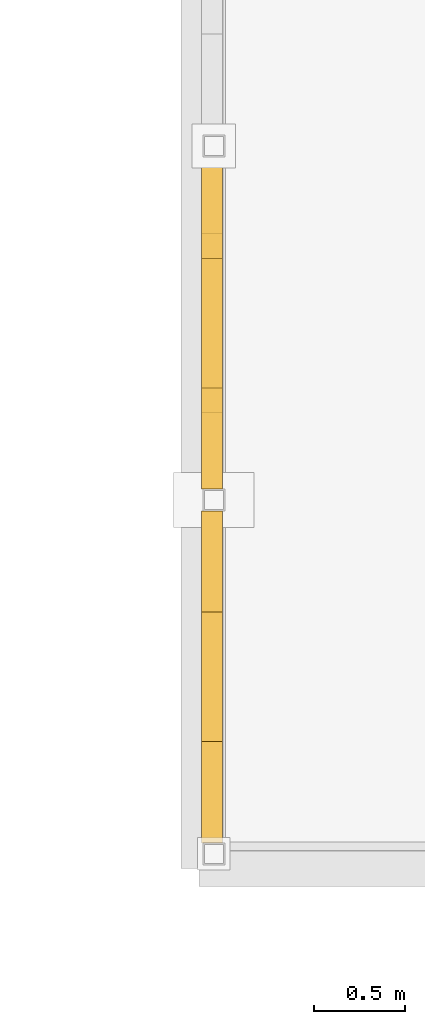
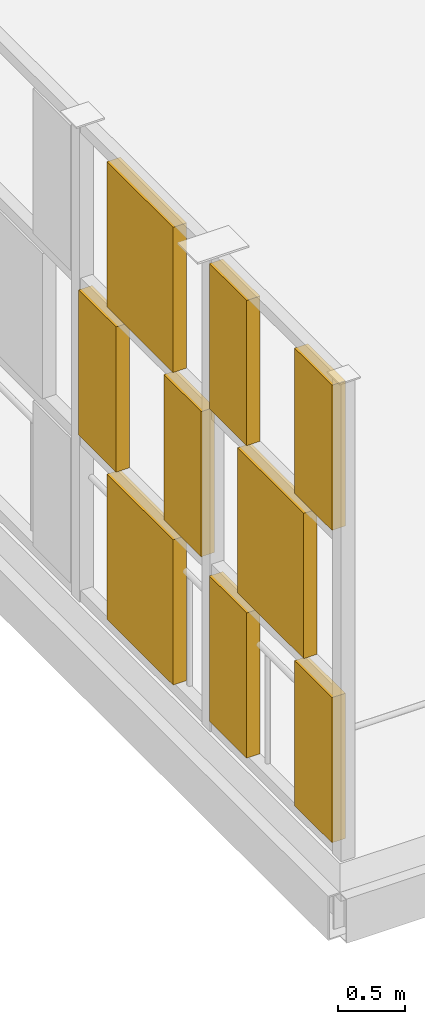
# One storey, part 127 of 138: 9 coverings.
"""IFC4 building model written with IfcOpenShell, lengths in metres."""

from ifc_helpers import new_model, si_unit, direction, frame, origin, origin_2d, place, context, subcontext, project, spatial, rectangle, extrude, material, layer, layer_set, type_object, element, save


model = new_model("IFC4")

# Units and contexts
model_context = context("Model", 3, precision=1e-05, world=origin(), true_north=direction((0.0, 1.0)))
body_context = subcontext(model_context, "Body", "Model", "MODEL_VIEW")
ifc_project = project(units=[si_unit("LENGTHUNIT", "METRE"), si_unit("AREAUNIT", "SQUARE_METRE"), si_unit("VOLUMEUNIT", "CUBIC_METRE"), si_unit("PLANEANGLEUNIT", "RADIAN"), si_unit("MASSUNIT", "GRAM", prefix="KILO")], contexts=[model_context])

# Site, building, storey
site_placement = place(None, origin())
site = spatial("IfcSite", under=ifc_project, at=site_placement, CompositionType="ELEMENT")
building_placement = place(site_placement, origin())
building = spatial("IfcBuilding", under=site, at=building_placement, Name="Celorna Specialist Clinic", CompositionType="ELEMENT")
storey_placement = place(building_placement, frame((0.0, 0.0, 4.800048828125)))
storey = spatial("IfcBuildingStorey", under=building, at=storey_placement, Name="L01", CompositionType="ELEMENT", Elevation=4.800048828125)

# Coverings
ifc_material = material(Name="Perforated terracotta brick weave cladding", Category="masonry")
ifc_layer = layer(ifc_material, 0.114990234375, Name="Perforated terracotta brick weave cladding")
ifc_layer_set = layer_set([ifc_layer], Name="Perforated terracotta brick weave cladding")
covering_type = type_object("IfcCoveringType", Name="CL-02", PredefinedType="CLADDING", material=ifc_layer_set)
for number, where, z_axis, x_axis, name in (
    (1, (124.8701171875, 60.4169921875, 0.10009765625), (0.0, 0.0, 1.0), (0.0, 1.0, 0.0), "Woven perforated terracotta brick course #1626"),
    (2, (124.8701171875, 61.6796875, 0.10009765625), (0.0, 0.0, 1.0), (0.0, 1.0, 0.0), "Woven perforated terracotta brick course #1627"),
):
    element("IfcCovering", number, at=place(storey_placement, frame(where, z_axis=z_axis, x_axis=x_axis)), inside=storey, type_object=covering_type, Name=name, PredefinedType="CLADDING", context=body_context, shape_type="SweptSolid", body=[
        extrude(rectangle(XDim=0.55419921875, YDim=0.114990234375, at=origin_2d()), origin(), (0.0, 0.0, 1.0), 1.313232421875),
    ])
covering_1_placement = place(storey_placement, frame((124.8701171875, 61.04833984375, 1.51318359375), z_axis=(0.0, 0.0, 1.0), x_axis=(0.0, 1.0, 0.0)))
element("IfcCovering", 3, at=covering_1_placement, inside=storey, type_object=covering_type, Name="Woven perforated terracotta brick course #1628", PredefinedType="CLADDING", context=body_context, shape_type="SweptSolid", body=[
    extrude(rectangle(XDim=0.98095703125, YDim=0.114990234375, at=origin_2d()), origin(), (0.0, 0.0, 1.0), 1.3134765625),
])
for number, where, z_axis, x_axis, name in (
    (4, (124.8701171875, 60.4169921875, 2.9267578125), (0.0, 0.0, 1.0), (0.0, 1.0, 0.0), "Woven perforated terracotta brick course #1629"),
    (5, (124.8701171875, 61.6796875, 2.9267578125), (0.0, 0.0, 1.0), (0.0, 1.0, 0.0), "Woven perforated terracotta brick course #1630"),
):
    element("IfcCovering", number, at=place(storey_placement, frame(where, z_axis=z_axis, x_axis=x_axis)), inside=storey, type_object=covering_type, Name=name, PredefinedType="CLADDING", context=body_context, shape_type="SweptSolid", body=[
        extrude(rectangle(XDim=0.55419921875, YDim=0.114990234375, at=origin_2d()), origin(), (0.0, 0.0, 1.0), 1.313232421875),
    ])
covering_2_placement = place(storey_placement, frame((124.8701171875, 62.985107421875, 0.10009765625), z_axis=(0.0, 0.0, 1.0), x_axis=(0.0, 1.0, 0.0)))
element("IfcCovering", 6, at=covering_2_placement, inside=storey, type_object=covering_type, Name="Woven perforated terracotta brick course #1631", PredefinedType="CLADDING", context=body_context, shape_type="SweptSolid", body=[
    extrude(rectangle(XDim=0.98095703125, YDim=0.114990234375, at=origin_2d()), origin(), (0.0, 0.0, 1.0), 1.313232421875),
])
for number, where, z_axis, x_axis, name in (
    (7, (124.8701171875, 62.353759765625, 1.51318359375), (0.0, 0.0, 1.0), (0.0, 1.0, 0.0), "Woven perforated terracotta brick course #1632"),
    (8, (124.8701171875, 63.6162109375, 1.51318359375), (0.0, 0.0, 1.0), (0.0, 1.0, 0.0), "Woven perforated terracotta brick course #1633"),
):
    element("IfcCovering", number, at=place(storey_placement, frame(where, z_axis=z_axis, x_axis=x_axis)), inside=storey, type_object=covering_type, Name=name, PredefinedType="CLADDING", context=body_context, shape_type="SweptSolid", body=[
        extrude(rectangle(XDim=0.55419921875, YDim=0.114990234375, at=origin_2d()), origin(), (0.0, 0.0, 1.0), 1.3134765625),
    ])
covering_3_placement = place(storey_placement, frame((124.8701171875, 62.985107421875, 2.9267578125), z_axis=(0.0, 0.0, 1.0), x_axis=(0.0, 1.0, 0.0)))
element("IfcCovering", 9, at=covering_3_placement, inside=storey, type_object=covering_type, Name="Woven perforated terracotta brick course #1634", PredefinedType="CLADDING", context=body_context, shape_type="SweptSolid", body=[
    extrude(rectangle(XDim=0.98095703125, YDim=0.114990234375, at=origin_2d()), origin(), (0.0, 0.0, 1.0), 1.313232421875),
])

save(model, "model.ifc")
